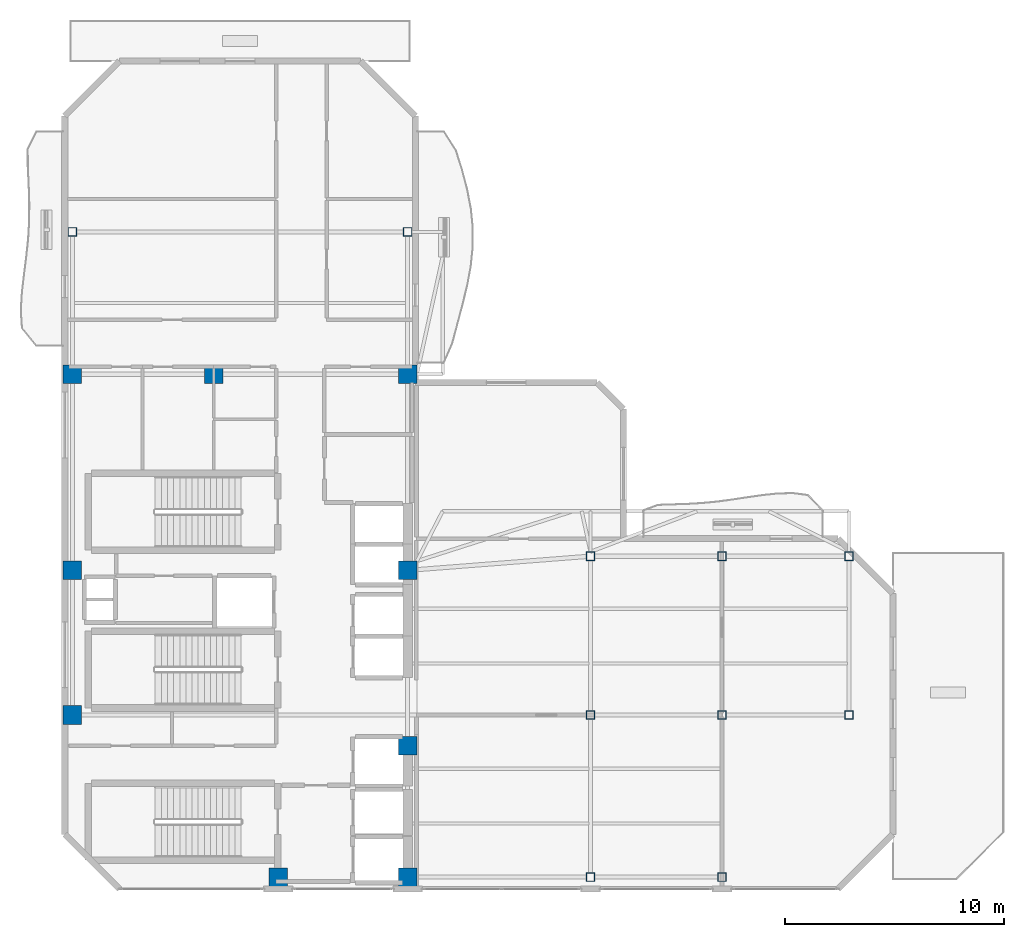
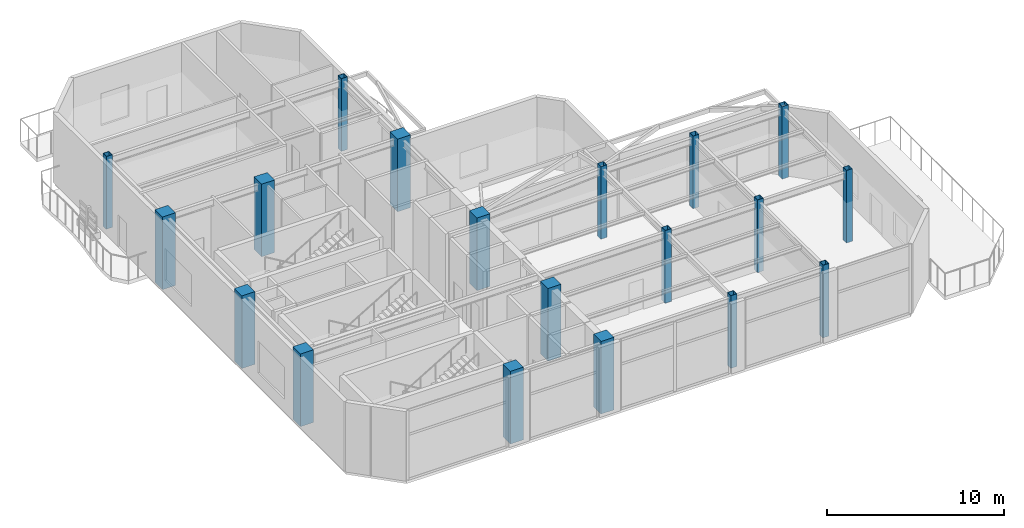
# One storey, part 1 of 14: 19 columns.
"""IFC4 building model written with IfcOpenShell, lengths in metres."""

from ifc_helpers import new_model, si_unit, direction, frame, origin, origin_2d, place, context, subcontext, project, spatial, rectangle, hollow_rectangle, extrude, material, material_profile, profile_set, type_object, element, save


model = new_model("IFC4")

# Units and contexts
model_context = context("Model", 3, precision=1e-05, world=origin(), true_north=direction((0.0, 1.0)))
body_context = subcontext(model_context, "Body", "Model", "MODEL_VIEW")
ifc_project = project(units=[si_unit("LENGTHUNIT", "METRE"), si_unit("AREAUNIT", "SQUARE_METRE"), si_unit("VOLUMEUNIT", "CUBIC_METRE"), si_unit("PLANEANGLEUNIT", "RADIAN"), si_unit("MASSUNIT", "GRAM", prefix="KILO")], contexts=[model_context])

# Site, building, storey
site_placement = place(None, origin())
site = spatial("IfcSite", under=ifc_project, at=site_placement, CompositionType="ELEMENT")
building_placement = place(site_placement, origin())
building = spatial("IfcBuilding", under=site, at=building_placement, Name="Mawjaban Terraces University", CompositionType="ELEMENT")
storey_placement = place(building_placement, frame((0.0, 0.0, 243.199951171875)))
storey = spatial("IfcBuildingStorey", under=building, at=storey_placement, Name="L59", CompositionType="ELEMENT", Elevation=243.199951171875)

# Columns
ifc_material_1 = material(Name="Concrete C50/60", Category="concrete")
ifc_material_profile_1 = material_profile(ifc_material_1, rectangle(XDim=0.85009765625, YDim=0.85009765625, at=origin_2d()), Name="RC850X850")
ifc_profile_set_1 = profile_set([ifc_material_profile_1], Name="Concrete C50/60")
column_type_1 = type_object("IfcColumnType", Name="Col_RC850X850", PredefinedType="COLUMN", material=ifc_profile_set_1)
for number, where, z_axis, x_axis, name in (
    (1, (31.75, 0.550048828125, 0.0), (0.0, 0.0, 1.0), (1.0, 0.0, 0.0), "L59 Column CC2"),
    (2, (37.64990234375, 0.550048828125, 0.0), (0.0, 0.0, 1.0), (1.0, 0.0, 0.0), "L59 Column CC3"),
    (3, (22.35009765625, 7.949951171875, 0.0), (0.0, 0.0, 1.0), (1.0, 0.0, 0.0), "L59 Column CC4"),
    (4, (37.64990234375, 6.550048828125, 0.0), (0.0, 0.0, 1.0), (1.0, 0.0, 0.0), "L59 Column CC5"),
    (5, (22.35009765625, 14.550048828125, 0.0), (0.0, 0.0, 1.0), (1.0, 0.0, 0.0), "L59 Column CC6"),
    (6, (37.64990234375, 14.550048828125, 0.0), (0.0, 0.0, 1.0), (1.0, 0.0, 0.0), "L59 Column CC7"),
    (7, (22.35009765625, 23.5, 0.0), (0.0, 0.0, 1.0), (1.0, 0.0, 0.0), "L59 Column CC8"),
    (8, (28.800048828125, 23.5, 0.0), (0.0, 0.0, 1.0), (1.0, 0.0, 0.0), "L59 Column CC9"),
    (9, (37.64990234375, 23.5, 0.0), (0.0, 0.0, 1.0), (1.0, 0.0, 0.0), "L59 Column CC10"),
):
    element("IfcColumn", number, at=place(storey_placement, frame(where, z_axis=z_axis, x_axis=x_axis)), inside=storey, type_object=column_type_1, Name=name, PredefinedType="COLUMN", context=body_context, shape_type="SweptSolid", body=[
        extrude(rectangle(XDim=0.85009765625, YDim=0.85009765625, at=origin_2d()), origin(), (0.0, 0.0, 1.0), 5.0),
    ])
ifc_material_2 = material(Name="Steel EN 10210-1 S355J2H", Category="steel")
ifc_material_profile_2 = material_profile(ifc_material_2, hollow_rectangle(XDim=0.39990234375, YDim=0.39990234375, WallThickness=0.02001953125, at=origin_2d()), Name="SHS400X400X20")
ifc_profile_set_2 = profile_set([ifc_material_profile_2], Name="Steel EN 10210-1 S355J2H")
column_type_2 = type_object("IfcColumnType", Name="Col_SHS400X400X20", PredefinedType="COLUMN", material=ifc_profile_set_2)
for number, where, z_axis, x_axis, name in (
    (10, (46.0, 0.550048828125, 0.0), (0.0, 0.0, 1.0), (1.0, 0.0, 0.0), "L59 Column TE-460-005"),
    (11, (46.0, 7.949951171875, 0.0), (0.0, 0.0, 1.0), (1.0, 0.0, 0.0), "L59 Column TE-460-080"),
    (12, (46.0, 15.199951171875, 0.0), (0.0, 0.0, 1.0), (1.0, 0.0, 0.0), "L59 Column TE-460-152"),
    (13, (52.0, 0.550048828125, 0.0), (0.0, 0.0, 1.0), (1.0, 0.0, 0.0), "L59 Column TE-520-005"),
    (14, (52.0, 7.949951171875, 0.0), (0.0, 0.0, 1.0), (1.0, 0.0, 0.0), "L59 Column TE-520-080"),
    (15, (52.0, 15.199951171875, 0.0), (0.0, 0.0, 1.0), (1.0, 0.0, 0.0), "L59 Column TE-520-152"),
    (16, (57.800048828125, 7.949951171875, 0.0), (0.0, 0.0, 1.0), (1.0, 0.0, 0.0), "L59 Column TE-578-080"),
    (17, (57.800048828125, 15.199951171875, 0.0), (0.0, 0.0, 1.0), (1.0, 0.0, 0.0), "L59 Column TE-578-152"),
    (18, (22.35009765625, 30.0, 0.0), (0.0, 0.0, 1.0), (1.0, 0.0, 0.0), "L59 Column TN-223-300"),
    (19, (37.64990234375, 30.0, 0.0), (0.0, 0.0, 1.0), (1.0, 0.0, 0.0), "L59 Column TN-376-300"),
):
    element("IfcColumn", number, at=place(storey_placement, frame(where, z_axis=z_axis, x_axis=x_axis)), inside=storey, type_object=column_type_2, Name=name, PredefinedType="COLUMN", context=body_context, shape_type="SweptSolid", body=[
        extrude(hollow_rectangle(XDim=0.39990234375, YDim=0.39990234375, WallThickness=0.02001953125, at=origin_2d()), origin(), (0.0, 0.0, 1.0), 5.0),
    ])

save(model, "model.ifc")
